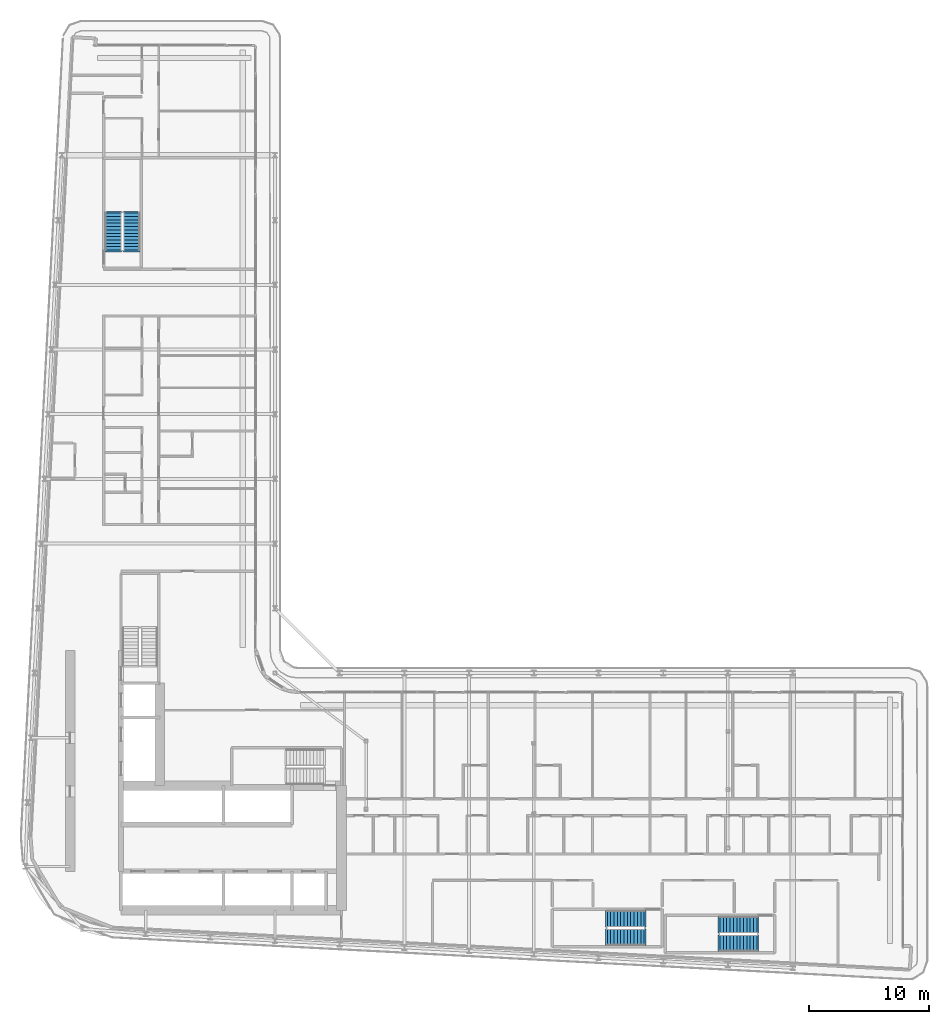
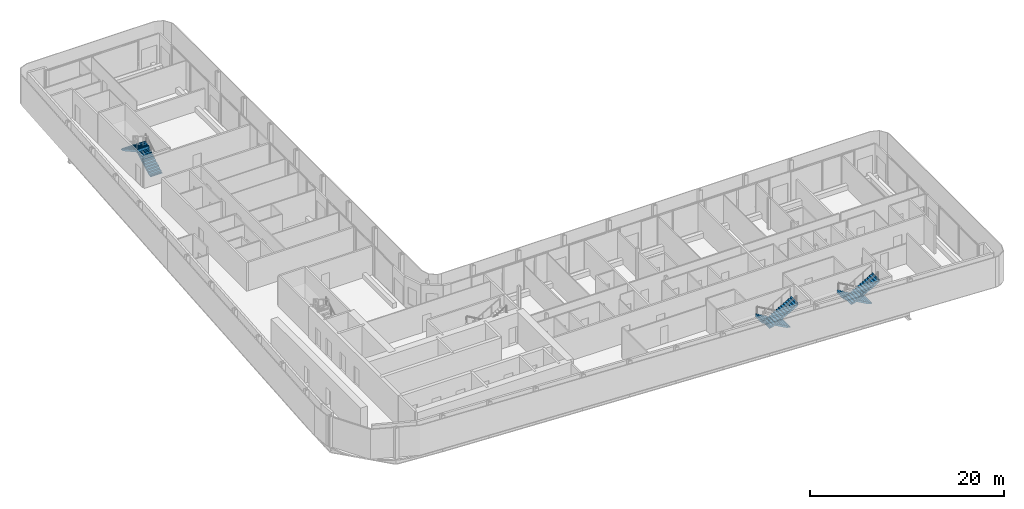
# One storey, part 22 of 29: 6 stair flights, 3 elements without a shape of their own.
"""IFC4 building model written with IfcOpenShell, lengths in metres."""

import ifcopenshell
import ifcopenshell.guid

model = None  # the IFC model being written
_history = None  # IfcOwnerHistory: only IFC2X3 demands one
_inside = {}  # id of a spatial element -> (the spatial element, [elements in it])
_under = {}  # id of a project, library or spatial element -> (it, [spatial elements below it])
_declared = {}  # id of a project -> (the project, [libraries it declares])
_typed = {}  # id of a type object -> (the type object, [elements of that type])
_made_of = {}  # id of a material, layer set ... -> (it, [elements and type objects made of it])


def new_model(schema):
    """Start an empty IFC model of exactly this schema.

    Asked for "IFC4X3", IfcOpenShell would pick the latest addendum, in which some entities
    have other attributes; the version numbers below select the first issue.
    IFC2X3 requires an IfcOwnerHistory on every rooted entity: one is made here for all.
    """
    global model, _history
    if schema == "IFC4X3":
        model = ifcopenshell.file(schema_version=(4, 3, 0, 0))
    else:
        model = ifcopenshell.file(schema=schema)
    _inside.clear()
    _under.clear()
    _declared.clear()
    _typed.clear()
    _made_of.clear()
    _history = None
    if model.schema == "IFC2X3":
        org = make("IfcOrganization", Name="unknown")
        user = make(
            "IfcPersonAndOrganization",
            ThePerson=make("IfcPerson", FamilyName="unknown"),
            TheOrganization=org,
        )
        app = make(
            "IfcApplication",
            ApplicationDeveloper=org,
            Version="unknown",
            ApplicationFullName="unknown",
            ApplicationIdentifier="unknown",
        )
        _history = make(
            "IfcOwnerHistory",
            OwningUser=user,
            OwningApplication=app,
            ChangeAction="ADDED",
            CreationDate=0,
        )
    return model


def make(cls, **values):
    """One entity of the class cls with the attributes given. An attribute that is None is left unset."""
    return model.create_entity(
        cls, **{name: value for name, value in values.items() if value is not None}
    )


def rooted(cls, **values):
    """An entity with a GlobalId (a new one), such as an element, a storey or a relation."""
    return make(cls, GlobalId=ifcopenshell.guid.new(), OwnerHistory=_history, **values)


def si_unit(unit_type, name, prefix=None):
    """IfcSIUnit, for example si_unit("LENGTHUNIT", "METRE", prefix="MILLI")."""
    return make("IfcSIUnit", UnitType=unit_type, Prefix=prefix, Name=name)


def assignment(units):
    """IfcUnitAssignment: the units of a project."""
    return None if units is None else make("IfcUnitAssignment", Units=units)


def point(xyz):
    """IfcCartesianPoint."""
    return None if xyz is None else make("IfcCartesianPoint", Coordinates=xyz)


def direction(xyz):
    """IfcDirection."""
    return None if xyz is None else make("IfcDirection", DirectionRatios=xyz)


def frame(location, z_axis=None, x_axis=None):
    """IfcAxis2Placement3D, a coordinate frame: its origin and axes. An axis left out is left unset."""
    return make(
        "IfcAxis2Placement3D",
        Location=point(location),
        Axis=direction(z_axis),
        RefDirection=direction(x_axis),
    )


def origin():
    """The frame at (0, 0, 0) with its axes left unset."""
    return frame((0.0, 0.0, 0.0))


def place(relative_to, where):
    """IfcLocalPlacement: puts the frame where relative to a parent placement (None: the world)."""
    return make(
        "IfcLocalPlacement", PlacementRelTo=relative_to, RelativePlacement=where
    )


def context(
    kind, dimensions, precision=None, world=None, true_north=None, identifier=None
):
    """IfcGeometricRepresentationContext, for example the 3D "Model" context."""
    return make(
        "IfcGeometricRepresentationContext",
        ContextIdentifier=identifier,
        ContextType=kind,
        CoordinateSpaceDimension=dimensions,
        Precision=precision,
        WorldCoordinateSystem=world,
        TrueNorth=true_north,
    )


def subcontext(parent, identifier, kind, view, scale=None):
    """IfcGeometricRepresentationSubContext, for example "Body" below "Model"."""
    return make(
        "IfcGeometricRepresentationSubContext",
        ContextIdentifier=identifier,
        ContextType=kind,
        ParentContext=parent,
        TargetScale=scale,
        TargetView=view,
    )


def project(units=None, contexts=None):
    """IfcProject with its units and contexts."""
    return rooted(
        "IfcProject",
        Name="project",
        RepresentationContexts=contexts,
        UnitsInContext=assignment(units),
    )


def spatial(cls, under=None, at=None, **own):
    """A site, building, storey or space (cls), placed at a placement, below another one or the project."""
    s = rooted(cls, ObjectPlacement=at, **own)
    if under is not None:
        _under.setdefault(under.id(), (under, []))[1].append(s)
    return s


def polyline(points):
    """IfcPolyline through the points."""
    return make("IfcPolyline", Points=[point(p) for p in points])


def outline(outer, holes=None, kind="AREA"):
    """IfcArbitraryClosedProfileDef: a profile drawn as a closed curve; with holes, ...WithVoids."""
    if holes is None:
        return make("IfcArbitraryClosedProfileDef", ProfileType=kind, OuterCurve=outer)
    return make(
        "IfcArbitraryProfileDefWithVoids",
        ProfileType=kind,
        OuterCurve=outer,
        InnerCurves=holes,
    )


def extrude(swept, where, along, depth):
    """IfcExtrudedAreaSolid: the profile swept, set in the frame where, extruded along a direction by depth."""
    return make(
        "IfcExtrudedAreaSolid",
        SweptArea=swept,
        Position=where,
        ExtrudedDirection=direction(along),
        Depth=depth,
    )


def shape(context_of_items, identifier, shape_type, items):
    """IfcShapeRepresentation: the items that make up one representation, for example the "Body"."""
    return make(
        "IfcShapeRepresentation",
        ContextOfItems=context_of_items,
        RepresentationIdentifier=identifier,
        RepresentationType=shape_type,
        Items=items,
    )


def material(Name=None, Category=None):
    """IfcMaterial."""
    return make("IfcMaterial", Name=Name, Category=Category)


def layer(
    of_material, thickness, ventilated=None, Name=None, Category=None, Priority=None
):
    """IfcMaterialLayer: one layer of a wall or slab, of a material (None: an air gap)."""
    return make(
        "IfcMaterialLayer",
        Material=of_material,
        LayerThickness=thickness,
        IsVentilated=ventilated,
        Name=Name,
        Category=Category,
        Priority=Priority,
    )


def layer_set(layers, Name=None):
    """IfcMaterialLayerSet."""
    return make("IfcMaterialLayerSet", MaterialLayers=layers, LayerSetName=Name)


def made_of(thing, what):
    """Note that an element or type object is made of a material, layer set ...; save() writes the relation."""
    if what is not None:
        _made_of.setdefault(what.id(), (what, []))[1].append(thing)
    return thing


def type_object(cls, material=None, **own):
    """A type object (cls), such as IfcWallType, which elements share."""
    return made_of(rooted(cls, **own), material)


def element(
    cls,
    number,
    at=None,
    inside=None,
    cuts=None,
    type_object=None,
    material=None,
    context=None,
    identifier="Body",
    shape_type=None,
    held_by="IfcProductDefinitionShape",
    body=None,
    shapes=None,
    **own,
):
    """One element of the class cls, such as IfcWall. Its Tag is "e" and its number.

    at: its placement. inside: the storey or other place that contains it. cuts: it is an
    opening in that element (IfcRelVoidsElement). A single representation is given by context,
    identifier, shape_type and body (its items); several are given by shapes. held_by: the class
    of the entity that holds the representations. save() writes the other relations.
    """
    e = rooted(cls, Tag="e%d" % number, ObjectPlacement=at, **own)
    if body is not None:
        shapes = [shape(context, identifier, shape_type, body)]
    if shapes is not None:
        e.Representation = make(held_by, Representations=shapes)
    if inside is not None:
        _inside.setdefault(inside.id(), (inside, []))[1].append(e)
    if cuts is not None:
        rooted(
            "IfcRelVoidsElement", RelatingBuildingElement=cuts, RelatedOpeningElement=e
        )
    if type_object is not None:
        _typed.setdefault(type_object.id(), (type_object, []))[1].append(e)
    return made_of(e, material)


def aggregate(whole, parts):
    """IfcRelAggregates: a whole, such as a stair, and the parts it consists of."""
    return rooted("IfcRelAggregates", RelatingObject=whole, RelatedObjects=parts)


def save(model, path):
    """Write the relations noted so far, then the file.

    IfcRelAggregates (storeys below a building ...), IfcRelContainedInSpatialStructure (elements
    in a storey), IfcRelDefinesByType, IfcRelAssociatesMaterial and IfcRelDeclares: one each for
    every whole, place, type object, material and project.
    """
    for whole, parts in _under.values():
        aggregate(whole, parts)
    for where, things in _inside.values():
        rooted(
            "IfcRelContainedInSpatialStructure",
            RelatedElements=things,
            RelatingStructure=where,
        )
    for kind, things in _typed.values():
        rooted("IfcRelDefinesByType", RelatedObjects=things, RelatingType=kind)
    for what, things in _made_of.values():
        rooted("IfcRelAssociatesMaterial", RelatedObjects=things, RelatingMaterial=what)
    for by, libraries in _declared.values():
        rooted("IfcRelDeclares", RelatingContext=by, RelatedDefinitions=libraries)
    model.write(path)


model = new_model("IFC4")

# Units and contexts
model_context = context("Model", 3, precision=1e-05, world=origin(), true_north=direction((0.0, 1.0)))
body_context = subcontext(model_context, "Body", "Model", "MODEL_VIEW")
ifc_project = project(units=[si_unit("LENGTHUNIT", "METRE"), si_unit("AREAUNIT", "SQUARE_METRE"), si_unit("VOLUMEUNIT", "CUBIC_METRE"), si_unit("PLANEANGLEUNIT", "RADIAN"), si_unit("MASSUNIT", "GRAM", prefix="KILO")], contexts=[model_context])

# Site, building, storey
site_placement = place(None, origin())
site = spatial("IfcSite", under=ifc_project, at=site_placement, CompositionType="ELEMENT")
building_placement = place(site_placement, origin())
building = spatial("IfcBuilding", under=site, at=building_placement, Name="Kheshtan School and Residences Tower", CompositionType="ELEMENT")
storey_placement = place(building_placement, frame((0.0, 0.0, 183.800048828125)))
storey = spatial("IfcBuildingStorey", under=building, at=storey_placement, Name="L43", CompositionType="ELEMENT", Elevation=183.800048828125)

# Stair, stair flights
ifc_material = material(Name="Concrete C40/50", Category="concrete")
stair_type = type_object("IfcStairType", Name="Exit stair, half-turn", PredefinedType="HALF_TURN_STAIR", material=ifc_material)
stair_1_placement = place(storey_placement, origin())
stair_1 = element("IfcStair", 1, at=stair_1_placement, inside=storey, type_object=stair_type, Name="L43 Protected Exit Stair ST3", PredefinedType="HALF_TURN_STAIR")
ifc_layer = layer(ifc_material, 0.14990234375)
ifc_layer_set = layer_set([ifc_layer], Name="Stair flight 1400 Concrete C40/50")
stair_flight_type = type_object("IfcStairFlightType", Name="Stair flight 1400 Concrete C40/50", PredefinedType="STRAIGHT", material=ifc_layer_set)
stair_flight_1_placement = place(storey_placement, frame((35.64990234375, 80.89990234375, 0.0), z_axis=(0.0, 0.0, 1.0), x_axis=(0.0, 1.0, 0.0)))
stair_flight_1 = element("IfcStairFlight", 2, at=stair_flight_1_placement, type_object=stair_flight_type, Name="ST3 flight 1", NumberOfRisers=12, NumberOfTreads=11, PredefinedType="STRAIGHT", RiserHeight=0.1625, TreadLength=0.28, context=body_context, shape_type="SweptSolid", body=[
    extrude(outline(polyline([(-0.14990234375, -0.10009765625), (-0.14990234375, 0.0), (0.0, 0.0), (0.0, 0.16259765625), (0.280029296875, 0.16259765625), (0.280029296875, 0.324951171875), (0.56005859375, 0.324951171875), (0.56005859375, 0.487548828125), (0.840087890625, 0.487548828125), (0.840087890625, 0.64990234375), (1.1201171875, 0.64990234375), (1.1201171875, 0.8125), (1.39990234375, 0.8125), (1.39990234375, 0.97509765625), (1.679931640625, 0.97509765625), (1.679931640625, 1.137451171875), (1.9599609375, 1.137451171875), (1.9599609375, 1.300048828125), (2.239990234375, 1.300048828125), (2.239990234375, 1.46240234375), (2.52001953125, 1.46240234375), (2.52001953125, 1.625), (2.800048828125, 1.625), (2.800048828125, 1.78759765625), (3.080078125, 1.78759765625), (3.080078125, 1.949951171875), (3.080078125, 1.969970703125), (3.22998046875, 1.969970703125), (3.22998046875, 1.6142578125), (0.298583984375, 0.0), (-0.14990234375, -0.10009765625)])), frame((0.0, 0.699951171875, 0.0), z_axis=(0.0, -1.0, 0.0), x_axis=(1.0, 0.0, 0.0)), (0.0, 0.0, 1.0), 1.39990234375),
])
stair_flight_2_placement = place(storey_placement, frame((34.10009765625, 83.97998046875, 1.949951171875), z_axis=(0.0, 0.0, 1.0), x_axis=(0.0, -1.0, 0.0)))
stair_flight_2 = element("IfcStairFlight", 3, at=stair_flight_2_placement, type_object=stair_flight_type, Name="ST3 flight 2", NumberOfRisers=12, NumberOfTreads=11, PredefinedType="STRAIGHT", RiserHeight=0.1625, TreadLength=0.28, context=body_context, shape_type="SweptSolid", body=[
    extrude(outline(polyline([(-0.14990234375, -0.10009765625), (-0.14990234375, 0.0), (0.0, 0.0), (0.0, 0.16259765625), (0.280029296875, 0.16259765625), (0.280029296875, 0.324951171875), (0.56005859375, 0.324951171875), (0.56005859375, 0.487548828125), (0.840087890625, 0.487548828125), (0.840087890625, 0.64990234375), (1.1201171875, 0.64990234375), (1.1201171875, 0.8125), (1.39990234375, 0.8125), (1.39990234375, 0.97509765625), (1.679931640625, 0.97509765625), (1.679931640625, 1.137451171875), (1.9599609375, 1.137451171875), (1.9599609375, 1.300048828125), (2.239990234375, 1.300048828125), (2.239990234375, 1.46240234375), (2.52001953125, 1.46240234375), (2.52001953125, 1.625), (2.800048828125, 1.625), (2.800048828125, 1.78759765625), (3.080078125, 1.78759765625), (3.080078125, 1.949951171875), (3.080078125, 1.969970703125), (3.22998046875, 1.969970703125), (3.22998046875, 1.6142578125), (0.298583984375, 0.0), (-0.14990234375, -0.10009765625)])), frame((0.0, 0.699951171875, 0.0), z_axis=(0.0, -1.0, 0.0), x_axis=(1.0, 0.0, 0.0)), (0.0, 0.0, 1.0), 1.39990234375),
])
aggregate(stair_1, [stair_flight_1, stair_flight_2])

stair_2_placement = place(storey_placement, origin())
stair_2 = element("IfcStair", 4, at=stair_2_placement, inside=storey, type_object=stair_type, Name="L43 Protected Exit Stair ST4", PredefinedType="HALF_TURN_STAIR")
stair_flight_3_placement = place(storey_placement, frame((87.820068359375, 24.60009765625, 0.0), z_axis=(0.0, 0.0, 1.0), x_axis=(-1.0, 0.0, 0.0)))
stair_flight_3 = element("IfcStairFlight", 5, at=stair_flight_3_placement, type_object=stair_flight_type, Name="ST4 flight 1", NumberOfRisers=12, NumberOfTreads=11, PredefinedType="STRAIGHT", RiserHeight=0.1625, TreadLength=0.28, context=body_context, shape_type="SweptSolid", body=[
    extrude(outline(polyline([(-0.14990234375, -0.10009765625), (-0.14990234375, 0.0), (0.0, 0.0), (0.0, 0.16259765625), (0.280029296875, 0.16259765625), (0.280029296875, 0.324951171875), (0.56005859375, 0.324951171875), (0.56005859375, 0.487548828125), (0.840087890625, 0.487548828125), (0.840087890625, 0.64990234375), (1.1201171875, 0.64990234375), (1.1201171875, 0.8125), (1.39990234375, 0.8125), (1.39990234375, 0.97509765625), (1.679931640625, 0.97509765625), (1.679931640625, 1.137451171875), (1.9599609375, 1.137451171875), (1.9599609375, 1.300048828125), (2.239990234375, 1.300048828125), (2.239990234375, 1.46240234375), (2.52001953125, 1.46240234375), (2.52001953125, 1.625), (2.800048828125, 1.625), (2.800048828125, 1.78759765625), (3.080078125, 1.78759765625), (3.080078125, 1.949951171875), (3.080078125, 1.969970703125), (3.22998046875, 1.969970703125), (3.22998046875, 1.6142578125), (0.298583984375, 0.0), (-0.14990234375, -0.10009765625)])), frame((0.0, 0.699951171875, 0.0), z_axis=(0.0, -1.0, 0.0), x_axis=(1.0, 0.0, 0.0)), (0.0, 0.0, 1.0), 1.39990234375),
])
stair_flight_4_placement = place(storey_placement, frame((84.739990234375, 23.050048828125, 1.949951171875), z_axis=(0.0, 0.0, 1.0), x_axis=(1.0, 0.0, 0.0)))
stair_flight_4 = element("IfcStairFlight", 6, at=stair_flight_4_placement, type_object=stair_flight_type, Name="ST4 flight 2", NumberOfRisers=12, NumberOfTreads=11, PredefinedType="STRAIGHT", RiserHeight=0.1625, TreadLength=0.28, context=body_context, shape_type="SweptSolid", body=[
    extrude(outline(polyline([(-0.14990234375, -0.10009765625), (-0.14990234375, 0.0), (0.0, 0.0), (0.0, 0.16259765625), (0.280029296875, 0.16259765625), (0.280029296875, 0.324951171875), (0.56005859375, 0.324951171875), (0.56005859375, 0.487548828125), (0.840087890625, 0.487548828125), (0.840087890625, 0.64990234375), (1.1201171875, 0.64990234375), (1.1201171875, 0.8125), (1.39990234375, 0.8125), (1.39990234375, 0.97509765625), (1.679931640625, 0.97509765625), (1.679931640625, 1.137451171875), (1.9599609375, 1.137451171875), (1.9599609375, 1.300048828125), (2.239990234375, 1.300048828125), (2.239990234375, 1.46240234375), (2.52001953125, 1.46240234375), (2.52001953125, 1.625), (2.800048828125, 1.625), (2.800048828125, 1.78759765625), (3.080078125, 1.78759765625), (3.080078125, 1.949951171875), (3.080078125, 1.969970703125), (3.22998046875, 1.969970703125), (3.22998046875, 1.6142578125), (0.298583984375, 0.0), (-0.14990234375, -0.10009765625)])), frame((0.0, 0.699951171875, 0.0), z_axis=(0.0, -1.0, 0.0), x_axis=(1.0, 0.0, 0.0)), (0.0, 0.0, 1.0), 1.39990234375),
])
aggregate(stair_2, [stair_flight_3, stair_flight_4])

stair_3_placement = place(storey_placement, origin())
stair_3 = element("IfcStair", 7, at=stair_3_placement, inside=storey, type_object=stair_type, Name="L43 Protected Exit Stair ST5", PredefinedType="HALF_TURN_STAIR")
stair_flight_5_placement = place(storey_placement, frame((78.409912109375, 25.10009765625, 0.0), z_axis=(0.0, 0.0, 1.0), x_axis=(-1.0, 0.0, 0.0)))
stair_flight_5 = element("IfcStairFlight", 8, at=stair_flight_5_placement, type_object=stair_flight_type, Name="ST5 flight 1", NumberOfRisers=12, NumberOfTreads=11, PredefinedType="STRAIGHT", RiserHeight=0.1625, TreadLength=0.28, context=body_context, shape_type="SweptSolid", body=[
    extrude(outline(polyline([(-0.14990234375, -0.10009765625), (-0.14990234375, 0.0), (0.0, 0.0), (0.0, 0.16259765625), (0.280029296875, 0.16259765625), (0.280029296875, 0.324951171875), (0.56005859375, 0.324951171875), (0.56005859375, 0.487548828125), (0.840087890625, 0.487548828125), (0.840087890625, 0.64990234375), (1.1201171875, 0.64990234375), (1.1201171875, 0.8125), (1.39990234375, 0.8125), (1.39990234375, 0.97509765625), (1.679931640625, 0.97509765625), (1.679931640625, 1.137451171875), (1.9599609375, 1.137451171875), (1.9599609375, 1.300048828125), (2.239990234375, 1.300048828125), (2.239990234375, 1.46240234375), (2.52001953125, 1.46240234375), (2.52001953125, 1.625), (2.800048828125, 1.625), (2.800048828125, 1.78759765625), (3.080078125, 1.78759765625), (3.080078125, 1.949951171875), (3.080078125, 1.969970703125), (3.22998046875, 1.969970703125), (3.22998046875, 1.6142578125), (0.298583984375, 0.0), (-0.14990234375, -0.10009765625)])), frame((0.0, 0.699951171875, 0.0), z_axis=(0.0, -1.0, 0.0), x_axis=(1.0, 0.0, 0.0)), (0.0, 0.0, 1.0), 1.39990234375),
])
stair_flight_6_placement = place(storey_placement, frame((75.330078125, 23.550048828125, 1.949951171875), z_axis=(0.0, 0.0, 1.0), x_axis=(1.0, 0.0, 0.0)))
stair_flight_6 = element("IfcStairFlight", 9, at=stair_flight_6_placement, type_object=stair_flight_type, Name="ST5 flight 2", NumberOfRisers=12, NumberOfTreads=11, PredefinedType="STRAIGHT", RiserHeight=0.1625, TreadLength=0.28, context=body_context, shape_type="SweptSolid", body=[
    extrude(outline(polyline([(-0.14990234375, -0.10009765625), (-0.14990234375, 0.0), (0.0, 0.0), (0.0, 0.16259765625), (0.280029296875, 0.16259765625), (0.280029296875, 0.324951171875), (0.56005859375, 0.324951171875), (0.56005859375, 0.487548828125), (0.840087890625, 0.487548828125), (0.840087890625, 0.64990234375), (1.1201171875, 0.64990234375), (1.1201171875, 0.8125), (1.39990234375, 0.8125), (1.39990234375, 0.97509765625), (1.679931640625, 0.97509765625), (1.679931640625, 1.137451171875), (1.9599609375, 1.137451171875), (1.9599609375, 1.300048828125), (2.239990234375, 1.300048828125), (2.239990234375, 1.46240234375), (2.52001953125, 1.46240234375), (2.52001953125, 1.625), (2.800048828125, 1.625), (2.800048828125, 1.78759765625), (3.080078125, 1.78759765625), (3.080078125, 1.949951171875), (3.080078125, 1.969970703125), (3.22998046875, 1.969970703125), (3.22998046875, 1.6142578125), (0.298583984375, 0.0), (-0.14990234375, -0.10009765625)])), frame((0.0, 0.699951171875, 0.0), z_axis=(0.0, -1.0, 0.0), x_axis=(1.0, 0.0, 0.0)), (0.0, 0.0, 1.0), 1.39990234375),
])
aggregate(stair_3, [stair_flight_5, stair_flight_6])

save(model, "model.ifc")
